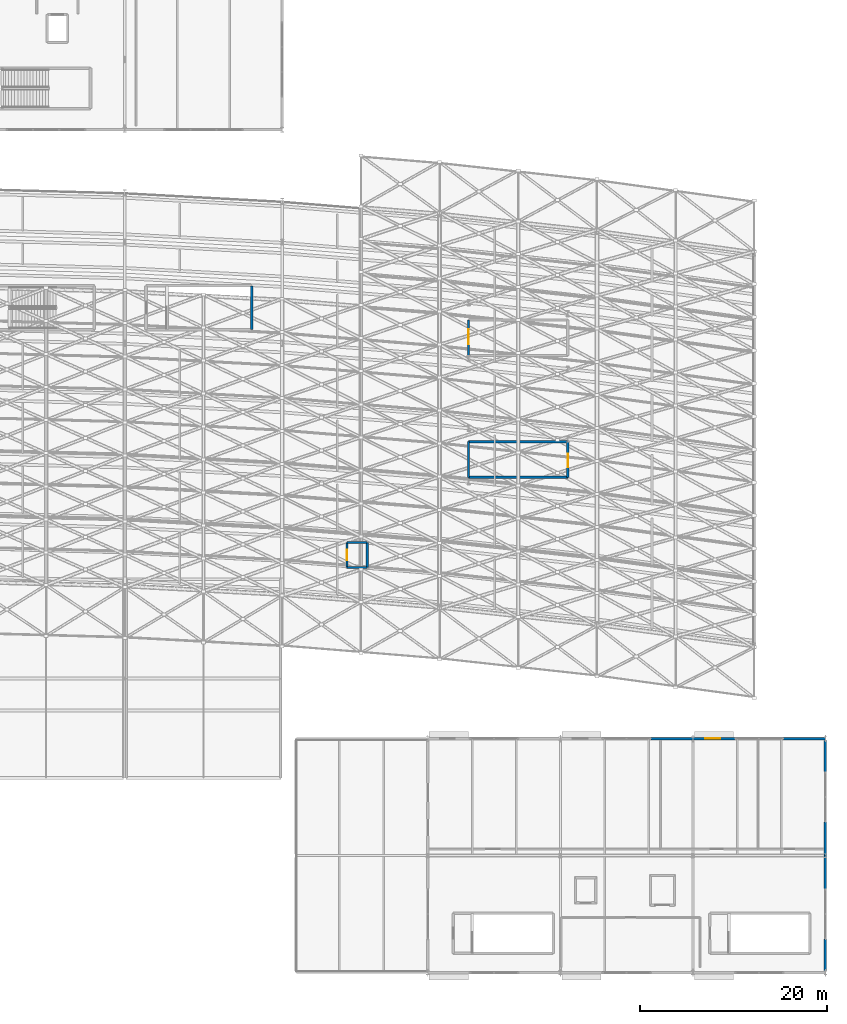
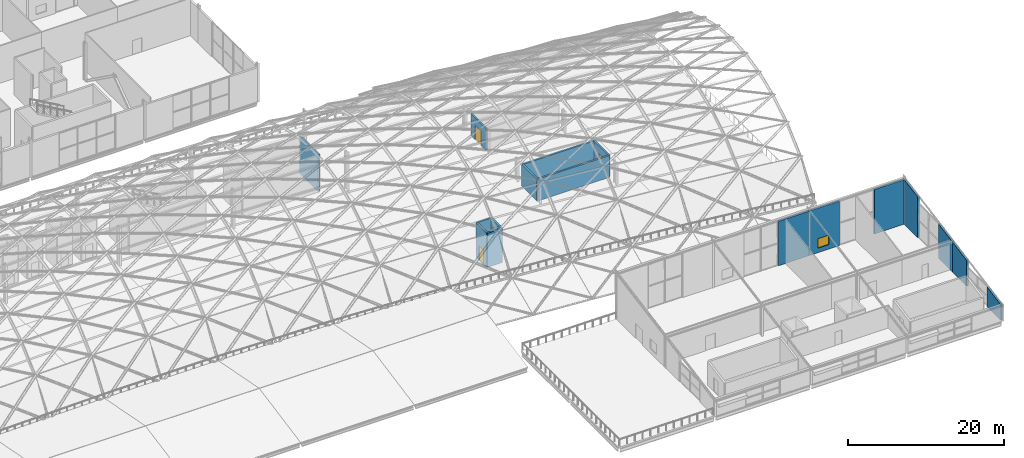
# One storey, part 87 of 100: 17 walls, 3 doors, 1 window, 4 openings.
"""IFC4 building model written with IfcOpenShell, lengths in metres."""

from ifc_helpers import new_model, si_unit, direction, frame, frame_2d, origin, place, context, subcontext, project, spatial, polyline, rectangle, outline, extrude, material, layer, layer_set, type_object, element, fill, save


model = new_model("IFC4")

# Units and contexts
model_context = context("Model", 3, precision=1e-05, world=origin(), true_north=direction((0.0, 1.0)))
body_context = subcontext(model_context, "Body", "Model", "MODEL_VIEW")
ifc_project = project(units=[si_unit("LENGTHUNIT", "METRE"), si_unit("AREAUNIT", "SQUARE_METRE"), si_unit("VOLUMEUNIT", "CUBIC_METRE"), si_unit("PLANEANGLEUNIT", "RADIAN"), si_unit("MASSUNIT", "GRAM", prefix="KILO")], contexts=[model_context])

# Site, building, storey
site_placement = place(None, origin())
site = spatial("IfcSite", under=ifc_project, at=site_placement, CompositionType="ELEMENT")
building_placement = place(site_placement, origin())
building = spatial("IfcBuilding", under=site, at=building_placement, Name="Kimbaza Rail Terminus", CompositionType="ELEMENT")
storey_placement = place(building_placement, frame((0.0, 0.0, 10.800048828125)))
storey = spatial("IfcBuildingStorey", under=building, at=storey_placement, Name="L02", CompositionType="ELEMENT", Elevation=10.800048828125)

# Wall
ifc_material_1 = material(Name="Concrete blockwork C30/37", Category="masonry")
ifc_layer_1 = layer(ifc_material_1, 0.260009765625)
ifc_layer_set_1 = layer_set([ifc_layer_1], Name="Concrete blockwork C30/37")
wall_type_1 = type_object("IfcWallType", Name="ARC-WL-EXT260", PredefinedType="STANDARD", material=ifc_layer_set_1)
wall_1_placement = place(storey_placement, frame((195.35009765625, 38.0, 0.0), z_axis=(0.0, 0.0, 1.0), x_axis=(1.0, 0.0, 0.0)))
element("IfcWall", 1, at=wall_1_placement, inside=storey, type_object=wall_type_1, Name="Pavilion N Wall L02.1B", PredefinedType="STANDARD", context=body_context, shape_type="SweptSolid", body=[
    extrude(rectangle(XDim=4.5, YDim=0.260009765625, at=frame_2d((2.25, 0.0))), origin(), (0.0, 0.0, 1.0), 6.945068359375),
])

# Wall, opening, window
wall_2_placement = place(storey_placement, frame((199.85009765625, 38.0, 0.0), z_axis=(0.0, 0.0, 1.0), x_axis=(1.0, 0.0, 0.0)))
wall_2 = element("IfcWall", 2, at=wall_2_placement, inside=storey, type_object=wall_type_1, Name="Pavilion N Wall L02.2A", PredefinedType="STANDARD", context=body_context, shape_type="SweptSolid", body=[
    extrude(rectangle(XDim=4.5, YDim=0.260009765625, at=frame_2d((2.25, 0.0))), origin(), (0.0, 0.0, 1.0), 6.945068359375),
])
opening_1_placement = place(wall_2_placement, frame((1.300048828125, 0.0, 0.699951171875)))
opening_1 = element("IfcOpeningElement", 3, at=opening_1_placement, cuts=wall_2, Name="Opening W-18", PredefinedType="OPENING", context=body_context, shape_type="SweptSolid", body=[
    extrude(rectangle(XDim=1.60009765625, YDim=1.5, at=frame_2d((0.800048828125, 0.75))), frame((0.0, 0.139892578125, 0.0), z_axis=(0.0, -1.0, 0.0), x_axis=(1.0, 0.0, 0.0)), (0.0, 0.0, 1.0), 0.280029296875),
])
ifc_material_2 = material(Name="Thermally broken aluminium and solar low-E glass", Category="aluminium")
window_type = type_object("IfcWindowType", Name="ARC-WIN-W-18", PartitioningType="SINGLE_PANEL", PredefinedType="WINDOW", material=ifc_material_2)
window_placement = place(opening_1_placement, origin())
window = element("IfcWindow", 4, at=window_placement, inside=storey, type_object=window_type, Name="Pavilion Window L02.3", OverallHeight=1.5, OverallWidth=1.60009765625, PartitioningType="SINGLE_PANEL", PredefinedType="WINDOW", context=body_context, shape_type="SweptSolid", body=[
    extrude(rectangle(XDim=1.60009765625, YDim=1.5, at=frame_2d((0.800048828125, 0.75))), frame((0.0, 0.030029296875, 0.0), z_axis=(0.0, -1.0, 0.0), x_axis=(1.0, 0.0, 0.0)), (0.0, 0.0, 1.0), 0.06005859375),
])
fill(opening_1, window)

# Walls
wall_3_placement = place(storey_placement, frame((209.5, 38.0, 0.0), z_axis=(0.0, 0.0, 1.0), x_axis=(1.0, 0.0, 0.0)))
element("IfcWall", 5, at=wall_3_placement, inside=storey, type_object=wall_type_1, Name="Pavilion N Wall L02.2B", PredefinedType="STANDARD", context=body_context, shape_type="SweptSolid", body=[
    extrude(rectangle(XDim=4.5, YDim=0.260009765625, at=frame_2d((2.25, 0.0))), origin(), (0.0, 0.0, 1.0), 6.945068359375),
])
wall_4_placement = place(storey_placement, frame((214.0, 13.1298828125, 0.0), z_axis=(0.0, 0.0, 1.0), x_axis=(0.0, 1.0, 0.0)))
element("IfcWall", 6, at=wall_4_placement, inside=storey, type_object=wall_type_1, Name="Pavilion E Pier L02.0", PredefinedType="STANDARD", context=body_context, shape_type="SweptSolid", body=[
    extrude(outline(polyline([(0.0, 0.0), (3.47021484375, 0.0), (3.469970703125, 3.0673828125), (0.0, 2.421875), (0.0, 0.0)])), frame((0.0, 0.1298828125, 0.0), z_axis=(0.0, -1.0, 0.0), x_axis=(1.0, 0.0, 0.0)), (0.0, 0.0, 1.0), 0.260009765625),
])
wall_5_placement = place(storey_placement, frame((214.0, 21.89990234375, 0.0), z_axis=(0.0, 0.0, 1.0), x_axis=(0.0, 1.0, 0.0)))
element("IfcWall", 7, at=wall_5_placement, inside=storey, type_object=wall_type_1, Name="Pavilion E Corner L02.0", PredefinedType="STANDARD", context=body_context, shape_type="SweptSolid", body=[
    extrude(outline(polyline([(0.0, 0.0), (3.60009765625, 0.0), (3.60009765625, 4.722900390625), (0.0, 4.05322265625), (0.0, 0.0)])), frame((0.0, 0.1298828125, 0.0), z_axis=(0.0, -1.0, 0.0), x_axis=(1.0, 0.0, 0.0)), (0.0, 0.0, 1.0), 0.260009765625),
])
wall_6_placement = place(storey_placement, frame((214.0, 25.5, 0.0), z_axis=(0.0, 0.0, 1.0), x_axis=(0.0, 1.0, 0.0)))
element("IfcWall", 8, at=wall_6_placement, inside=storey, type_object=wall_type_1, Name="Pavilion E Pier L02.1", PredefinedType="STANDARD", context=body_context, shape_type="SweptSolid", body=[
    extrude(outline(polyline([(0.0, 0.0), (3.60009765625, 0.0), (3.60009765625, 5.392333984375), (0.0, 4.722900390625), (0.0, 0.0)])), frame((0.0, 0.1298828125, 0.0), z_axis=(0.0, -1.0, 0.0), x_axis=(1.0, 0.0, 0.0)), (0.0, 0.0, 1.0), 0.260009765625),
])
wall_7_placement = place(storey_placement, frame((214.0, 34.39990234375, 0.0), z_axis=(0.0, 0.0, 1.0), x_axis=(0.0, 1.0, 0.0)))
element("IfcWall", 9, at=wall_7_placement, inside=storey, type_object=wall_type_1, Name="Pavilion E Corner L02.1", PredefinedType="STANDARD", context=body_context, shape_type="SweptSolid", body=[
    extrude(outline(polyline([(0.0, 0.0), (3.47021484375, 0.0), (3.469970703125, 6.945068359375), (0.0, 6.378173828125), (0.0, 0.0)])), frame((0.0, 0.1298828125, 0.0), z_axis=(0.0, -1.0, 0.0), x_axis=(1.0, 0.0, 0.0)), (0.0, 0.0, 1.0), 0.260009765625),
])
ifc_material_3 = material(Name="Concrete C40/50", Category="concrete")
ifc_layer_2 = layer(ifc_material_3, 0.25)
ifc_layer_set_2 = layer_set([ifc_layer_2], Name="Concrete C40/50")
wall_type_2 = type_object("IfcWallType", Name="STR-WL-CORE250", PredefinedType="SHEAR", material=ifc_layer_set_2)
wall_8_placement = place(storey_placement, frame((162.919921875, 56.27001953125, 0.0), z_axis=(0.0, 0.0, 1.0), x_axis=(1.0, 0.0, 0.0)))
element("IfcWall", 10, at=wall_8_placement, inside=storey, type_object=wall_type_2, Name="Lift Shaft Wall LP-06 L02-1", PredefinedType="SHEAR", context=body_context, shape_type="SweptSolid", body=[
    extrude(rectangle(XDim=2.16015625, YDim=0.25, at=frame_2d((1.080078125, 0.0))), origin(), (0.0, 0.0, 1.0), 5.369873046875),
])
wall_9_placement = place(storey_placement, frame((165.080078125, 56.27001953125, 0.0), z_axis=(0.0, 0.0, 1.0), x_axis=(0.0, 1.0, 0.0)))
element("IfcWall", 11, at=wall_9_placement, inside=storey, type_object=wall_type_2, Name="Lift Shaft Wall LP-06 L02-2", PredefinedType="SHEAR", context=body_context, shape_type="SweptSolid", body=[
    extrude(rectangle(XDim=2.659912109375, YDim=0.25, at=frame_2d((1.330078125, 0.0))), origin(), (0.0, 0.0, 1.0), 5.369873046875),
])
wall_10_placement = place(storey_placement, frame((165.080078125, 58.929931640625, 0.0), z_axis=(0.0, 0.0, 1.0), x_axis=(-1.0, 0.0, 0.0)))
element("IfcWall", 12, at=wall_10_placement, inside=storey, type_object=wall_type_2, Name="Lift Shaft Wall LP-06 L02-3", PredefinedType="SHEAR", context=body_context, shape_type="SweptSolid", body=[
    extrude(rectangle(XDim=2.16015625, YDim=0.25, at=frame_2d((1.080078125, 0.0))), origin(), (0.0, 0.0, 1.0), 5.369873046875),
])

# Wall, opening, door
wall_11_placement = place(storey_placement, frame((162.919921875, 58.929931640625, 0.0), z_axis=(0.0, 0.0, 1.0), x_axis=(0.0, -1.0, 0.0)))
wall_11 = element("IfcWall", 13, at=wall_11_placement, inside=storey, type_object=wall_type_2, Name="Lift Shaft Wall LP-06 L02-4", PredefinedType="SHEAR", context=body_context, shape_type="SweptSolid", body=[
    extrude(rectangle(XDim=2.659912109375, YDim=0.25, at=frame_2d((1.330078125, 0.0))), origin(), (0.0, 0.0, 1.0), 5.369873046875),
])
opening_2_placement = place(wall_11_placement, frame((0.780029296875, 0.0, 0.0)))
opening_2 = element("IfcOpeningElement", 14, at=opening_2_placement, cuts=wall_11, Name="Opening LD-01", PredefinedType="OPENING", context=body_context, shape_type="SweptSolid", body=[
    extrude(rectangle(XDim=1.10009765625, YDim=2.199951171875, at=frame_2d((0.550048828125, 1.10009765625))), frame((0.0, 0.135009765625, 0.0), z_axis=(0.0, -1.0, 0.0), x_axis=(1.0, 0.0, 0.0)), (0.0, 0.0, 1.0), 0.27001953125),
])
ifc_material_4 = material(Name="Brushed stainless steel sliding landing door", Category="steel")
door_type_1 = type_object("IfcDoorType", Name="ARC-DR-LD110", OperationType="NOTDEFINED", PredefinedType="DOOR", material=ifc_material_4)
door_1_placement = place(opening_2_placement, origin())
door_1 = element("IfcDoor", 15, at=door_1_placement, inside=storey, type_object=door_type_1, Name="LDR-LP-06-L02", OperationType="SLIDING_TO_RIGHT", OverallHeight=2.199951171875, OverallWidth=1.10009765625, PredefinedType="DOOR", context=body_context, shape_type="SweptSolid", body=[
    extrude(rectangle(XDim=1.10009765625, YDim=2.199951171875, at=frame_2d((0.550048828125, 1.10009765625))), frame((0.0, 0.02490234375, 0.0), z_axis=(0.0, -1.0, 0.0), x_axis=(1.0, 0.0, 0.0)), (0.0, 0.0, 1.0), 0.050048828125),
])
fill(opening_2, door_1)

# Wall
wall_12_placement = place(storey_placement, frame((175.89990234375, 65.889892578125, 0.0), z_axis=(0.0, 0.0, 1.0), x_axis=(1.0, 0.0, 0.0)))
element("IfcWall", 16, at=wall_12_placement, inside=storey, type_object=wall_type_2, Name="Island Platform 2-3 Air-Conditioned Waiting Lounge 10 Partition (south)", PredefinedType="SHEAR", context=body_context, shape_type="SweptSolid", body=[
    extrude(rectangle(XDim=10.60009765625, YDim=0.25, at=frame_2d((5.300048828125, 0.0))), origin(), (0.0, 0.0, 1.0), 3.39990234375),
])

# Wall, opening, door
wall_13_placement = place(storey_placement, frame((186.5, 65.889892578125, 0.0), z_axis=(0.0, 0.0, 1.0), x_axis=(0.0, 1.0, 0.0)))
wall_13 = element("IfcWall", 17, at=wall_13_placement, inside=storey, type_object=wall_type_2, Name="Island Platform 2-3 Air-Conditioned Waiting Lounge 10 Partition (east)", PredefinedType="SHEAR", context=body_context, shape_type="SweptSolid", body=[
    extrude(rectangle(XDim=3.800048828125, YDim=0.25, at=frame_2d((1.89990234375, 0.0))), origin(), (0.0, 0.0, 1.0), 3.39990234375),
])
opening_3_placement = place(wall_13_placement, frame((2.5, 0.0, 0.0), z_axis=(0.0, 0.0, 1.0), x_axis=(-1.0, 0.0, 0.0)))
opening_3 = element("IfcOpeningElement", 18, at=opening_3_placement, cuts=wall_13, Name="Opening FD-01", PredefinedType="OPENING", context=body_context, shape_type="SweptSolid", body=[
    extrude(rectangle(XDim=1.39990234375, YDim=2.199951171875, at=frame_2d((0.699951171875, 1.10009765625))), frame((0.0, 0.135009765625, 0.0), z_axis=(0.0, -1.0, 0.0), x_axis=(1.0, 0.0, 0.0)), (0.0, 0.0, 1.0), 0.27001953125),
])
ifc_material_5 = material(Name="Galvanised painted steel fire escape door", Category="steel")
door_type_2 = type_object("IfcDoorType", Name="ARC-DR-FD140", OperationType="NOTDEFINED", PredefinedType="DOOR", material=ifc_material_5)
door_2_placement = place(opening_3_placement, origin())
door_2 = element("IfcDoor", 19, at=door_2_placement, inside=storey, type_object=door_type_2, Name="IDR-SPC-L02-POD2-B10", OperationType="SINGLE_SWING_LEFT", OverallHeight=2.199951171875, OverallWidth=1.39990234375, PredefinedType="DOOR", context=body_context, shape_type="SweptSolid", body=[
    extrude(rectangle(XDim=1.39990234375, YDim=2.199951171875, at=frame_2d((0.699951171875, 1.10009765625))), frame((0.0, 0.02490234375, 0.0), z_axis=(0.0, -1.0, 0.0), x_axis=(1.0, 0.0, 0.0)), (0.0, 0.0, 1.0), 0.050048828125),
])
fill(opening_3, door_2)

# Walls
wall_14_placement = place(storey_placement, frame((186.5, 69.68994140625, 0.0), z_axis=(0.0, 0.0, 1.0), x_axis=(-1.0, 0.0, 0.0)))
element("IfcWall", 20, at=wall_14_placement, inside=storey, type_object=wall_type_2, Name="Island Platform 2-3 Air-Conditioned Waiting Lounge 10 Partition (north)", PredefinedType="SHEAR", context=body_context, shape_type="SweptSolid", body=[
    extrude(rectangle(XDim=10.60009765625, YDim=0.25, at=frame_2d((5.300048828125, 0.0))), origin(), (0.0, 0.0, 1.0), 3.39990234375),
])
wall_15_placement = place(storey_placement, frame((175.89990234375, 69.68994140625, 0.0), z_axis=(0.0, 0.0, 1.0), x_axis=(0.0, -1.0, 0.0)))
element("IfcWall", 21, at=wall_15_placement, inside=storey, type_object=wall_type_2, Name="Island Platform 2-3 Air-Conditioned Waiting Lounge 10 Partition (west)", PredefinedType="SHEAR", context=body_context, shape_type="SweptSolid", body=[
    extrude(rectangle(XDim=3.800048828125, YDim=0.25, at=frame_2d((1.89990234375, 0.0))), origin(), (0.0, 0.0, 1.0), 3.39990234375),
])

# Wall, opening, door
wall_16_placement = place(storey_placement, frame((175.89990234375, 82.68994140625, 0.0), z_axis=(0.0, 0.0, 1.0), x_axis=(0.0, -1.0, 0.0)))
wall_16 = element("IfcWall", 22, at=wall_16_placement, inside=storey, type_object=wall_type_2, Name="Island Platform 4-5 Air-Conditioned Waiting Lounge 10 Partition (west)", PredefinedType="SHEAR", context=body_context, shape_type="SweptSolid", body=[
    extrude(rectangle(XDim=3.800048828125, YDim=0.25, at=frame_2d((1.89990234375, 0.0))), origin(), (0.0, 0.0, 1.0), 3.39990234375),
])
opening_4_placement = place(wall_16_placement, frame((1.0, 0.0, 0.0)))
opening_4 = element("IfcOpeningElement", 23, at=opening_4_placement, cuts=wall_16, Name="Opening FD-05", PredefinedType="OPENING", context=body_context, shape_type="SweptSolid", body=[
    extrude(rectangle(XDim=1.60009765625, YDim=2.25, at=frame_2d((0.800048828125, 1.125))), frame((0.0, 0.135009765625, 0.0), z_axis=(0.0, -1.0, 0.0), x_axis=(1.0, 0.0, 0.0)), (0.0, 0.0, 1.0), 0.27001953125),
])
ifc_material_6 = material(Name="Substation double-leaf steel fire door", Category="steel")
door_type_3 = type_object("IfcDoorType", Name="ARC-DR-FD160", OperationType="NOTDEFINED", PredefinedType="DOOR", material=ifc_material_6)
door_3_placement = place(opening_4_placement, origin())
door_3 = element("IfcDoor", 24, at=door_3_placement, inside=storey, type_object=door_type_3, Name="IDR-SPC-L02-POD3-B10", OperationType="SINGLE_SWING_RIGHT", OverallHeight=2.25, OverallWidth=1.60009765625, PredefinedType="DOOR", context=body_context, shape_type="SweptSolid", body=[
    extrude(rectangle(XDim=1.60009765625, YDim=2.25, at=frame_2d((0.800048828125, 1.125))), frame((0.0, 0.02490234375, 0.0), z_axis=(0.0, -1.0, 0.0), x_axis=(1.0, 0.0, 0.0)), (0.0, 0.0, 1.0), 0.050048828125),
])
fill(opening_4, door_3)

# Wall
ifc_material_7 = material(Name="Concrete C40/50", Category="concrete")
ifc_layer_3 = layer(ifc_material_7, 0.280029296875)
ifc_layer_set_3 = layer_set([ifc_layer_3], Name="Concrete C40/50")
wall_type_3 = type_object("IfcWallType", Name="STR-WL-CORE280", PredefinedType="SHEAR", material=ifc_layer_set_3)
wall_17_placement = place(storey_placement, frame((152.739990234375, 81.659912109375, 0.0), z_axis=(0.0, 0.0, 1.0), x_axis=(0.0, 1.0, 0.0)))
element("IfcWall", 25, at=wall_17_placement, inside=storey, type_object=wall_type_3, Name="Platform East Concourse Stair Shaft Wall L02-2", PredefinedType="SHEAR", context=body_context, shape_type="SweptSolid", body=[
    extrude(rectangle(XDim=4.68017578125, YDim=0.280029296875, at=frame_2d((2.340087890625, 0.0))), origin(), (0.0, 0.0, 1.0), 5.719970703125),
])

save(model, "model.ifc")
